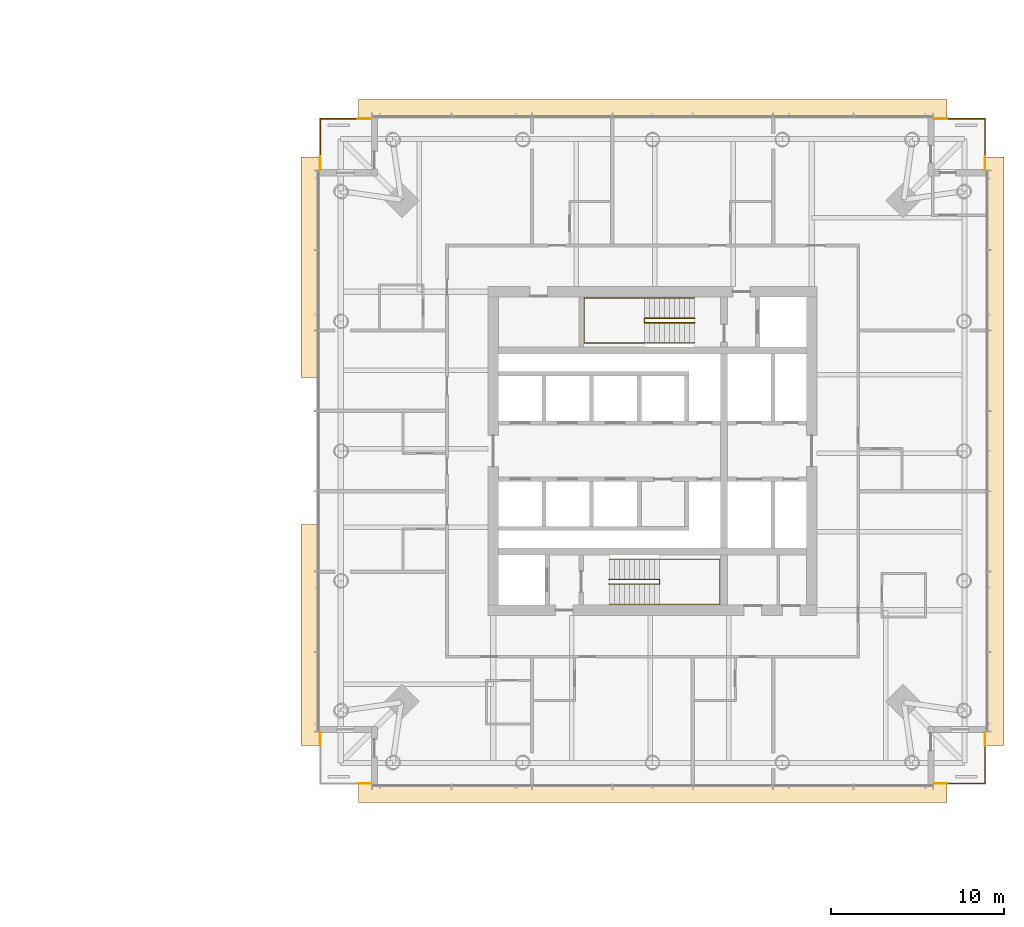
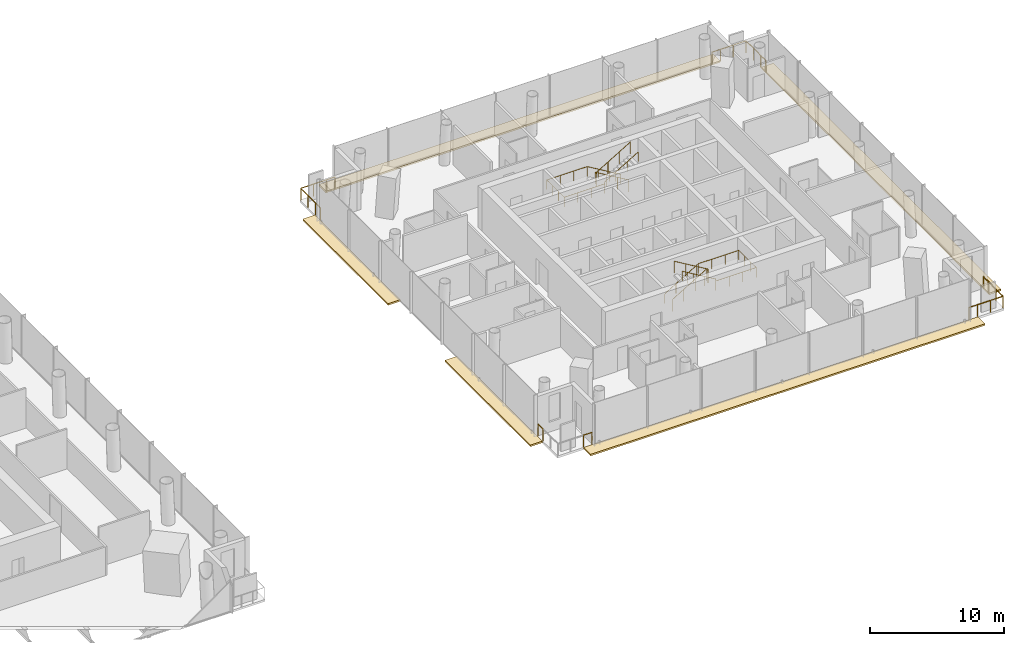
# One storey, part 21 of 21: 15 railings, 5 coverings.
"""IFC4 building model written with IfcOpenShell, lengths in metres."""

from ifc_helpers import new_model, si_unit, direction, frame, origin, origin_2d, place, context, subcontext, project, spatial, polyline, circle, outline, extrude, material, layer, layer_set, type_object, element, save


model = new_model("IFC4")

# Units and contexts
model_context = context("Model", 3, precision=1e-05, world=origin(), true_north=direction((0.0, 1.0)))
body_context = subcontext(model_context, "Body", "Model", "MODEL_VIEW")
ifc_project = project(units=[si_unit("LENGTHUNIT", "METRE"), si_unit("AREAUNIT", "SQUARE_METRE"), si_unit("VOLUMEUNIT", "CUBIC_METRE"), si_unit("PLANEANGLEUNIT", "RADIAN"), si_unit("MASSUNIT", "GRAM", prefix="KILO")], contexts=[model_context])

# Site, building, storey
site_placement = place(None, origin())
site = spatial("IfcSite", under=ifc_project, at=site_placement, CompositionType="ELEMENT")
building_placement = place(site_placement, origin())
building = spatial("IfcBuilding", under=site, at=building_placement, Name="Ostroluk Exchange", CompositionType="ELEMENT")
storey_placement = place(building_placement, frame((0.0, 0.0, 43.800048828125)))
storey = spatial("IfcBuildingStorey", under=building, at=storey_placement, Name="L10", CompositionType="ELEMENT", Elevation=43.800048828125)

# Railings
ifc_material_1 = material(Name="Stainless steel", Category="steel")
railing_type_1 = type_object("IfcRailingType", Name="Guard 1100 stainless steel", PredefinedType="GUARDRAIL", material=ifc_material_1)
railing_1_placement = place(storey_placement, frame((134.0, 26.800048828125, 0.0)))
element("IfcRailing", 1, at=railing_1_placement, inside=storey, type_object=railing_type_1, Name="Hotel tower SE balcony guard L10", PredefinedType="GUARDRAIL", context=body_context, shape_type="SweptSolid", body=[
    extrude(circle(Radius=0.02392578125, at=origin_2d()), frame((0.0, 0.0, 1.076171875), z_axis=(1.0, 0.0, 0.0), x_axis=(0.0, 1.0, 0.0)), (0.0, 0.0, 1.0), 2.199951171875),
    extrude(circle(Radius=0.02392578125, at=origin_2d()), frame((2.199951171875, 0.0, 1.076171875), z_axis=(0.0, 1.0, 0.0), x_axis=(-1.0, 0.0, 0.0)), (0.0, 0.0, 1.0), 2.199951171875),
    extrude(circle(Radius=0.02099609375, at=origin_2d()), origin(), (0.0, 0.0, 1.0), 1.052001953125),
    extrude(circle(Radius=0.02099609375, at=origin_2d()), frame((1.10009765625, 0.0, 0.0)), (0.0, 0.0, 1.0), 1.052001953125),
    extrude(circle(Radius=0.02099609375, at=origin_2d()), frame((2.199951171875, 0.0, 0.0)), (0.0, 0.0, 1.0), 1.052001953125),
    extrude(circle(Radius=0.02099609375, at=origin_2d()), frame((2.199951171875, 1.10009765625, 0.0)), (0.0, 0.0, 1.0), 1.052001953125),
    extrude(circle(Radius=0.02099609375, at=origin_2d()), frame((2.199951171875, 2.199951171875, 0.0)), (0.0, 0.0, 1.0), 1.052001953125),
])
railing_2_placement = place(storey_placement, frame((134.0, 65.199951171875, 0.0)))
element("IfcRailing", 2, at=railing_2_placement, inside=storey, type_object=railing_type_1, Name="Hotel tower NE balcony guard L10", PredefinedType="GUARDRAIL", context=body_context, shape_type="SweptSolid", body=[
    extrude(circle(Radius=0.02392578125, at=origin_2d()), frame((0.0, 0.0, 1.076171875), z_axis=(1.0, 0.0, 0.0), x_axis=(0.0, 1.0, 0.0)), (0.0, 0.0, 1.0), 2.199951171875),
    extrude(circle(Radius=0.02392578125, at=origin_2d()), frame((2.199951171875, 0.0, 1.076171875), z_axis=(0.0, -1.0, 0.0), x_axis=(1.0, 0.0, 0.0)), (0.0, 0.0, 1.0), 2.199951171875),
    extrude(circle(Radius=0.02099609375, at=origin_2d()), origin(), (0.0, 0.0, 1.0), 1.052001953125),
    extrude(circle(Radius=0.02099609375, at=origin_2d()), frame((1.10009765625, 0.0, 0.0)), (0.0, 0.0, 1.0), 1.052001953125),
    extrude(circle(Radius=0.02099609375, at=origin_2d()), frame((2.199951171875, 0.0, 0.0)), (0.0, 0.0, 1.0), 1.052001953125),
    extrude(circle(Radius=0.02099609375, at=origin_2d()), frame((2.199951171875, -1.10009765625, 0.0)), (0.0, 0.0, 1.0), 1.052001953125),
    extrude(circle(Radius=0.02099609375, at=origin_2d()), frame((2.199951171875, -2.199951171875, 0.0)), (0.0, 0.0, 1.0), 1.052001953125),
])
railing_3_placement = place(storey_placement, frame((100.0, 65.199951171875, 0.0)))
element("IfcRailing", 3, at=railing_3_placement, inside=storey, type_object=railing_type_1, Name="Hotel tower NW balcony guard L10", PredefinedType="GUARDRAIL", context=body_context, shape_type="SweptSolid", body=[
    extrude(circle(Radius=0.02392578125, at=origin_2d()), frame((0.0, 0.0, 1.076171875), z_axis=(-1.0, 0.0, 0.0), x_axis=(0.0, -1.0, 0.0)), (0.0, 0.0, 1.0), 2.199951171875),
    extrude(circle(Radius=0.02392578125, at=origin_2d()), frame((-2.199951171875, 0.0, 1.076171875), z_axis=(0.0, -1.0, 0.0), x_axis=(1.0, 0.0, 0.0)), (0.0, 0.0, 1.0), 2.199951171875),
    extrude(circle(Radius=0.02099609375, at=origin_2d()), origin(), (0.0, 0.0, 1.0), 1.052001953125),
    extrude(circle(Radius=0.02099609375, at=origin_2d()), frame((-1.10009765625, 0.0, 0.0)), (0.0, 0.0, 1.0), 1.052001953125),
    extrude(circle(Radius=0.02099609375, at=origin_2d()), frame((-2.199951171875, 0.0, 0.0)), (0.0, 0.0, 1.0), 1.052001953125),
    extrude(circle(Radius=0.02099609375, at=origin_2d()), frame((-2.199951171875, -1.10009765625, 0.0)), (0.0, 0.0, 1.0), 1.052001953125),
    extrude(circle(Radius=0.02099609375, at=origin_2d()), frame((-2.199951171875, -2.199951171875, 0.0)), (0.0, 0.0, 1.0), 1.052001953125),
])
ifc_material_2 = material(Name="Stainless steel", Category="steel")
railing_type_2 = type_object("IfcRailingType", Name="Lockable maintenance gate 1100", PredefinedType="GUARDRAIL", material=ifc_material_2)
railing_4_placement = place(storey_placement, frame((133.25, 26.800048828125, 0.0)))
element("IfcRailing", 4, at=railing_4_placement, inside=storey, type_object=railing_type_2, Name="Lockable maintenance gate T2 L10 SE", PredefinedType="GUARDRAIL", context=body_context, shape_type="SweptSolid", body=[
    extrude(circle(Radius=0.02392578125, at=origin_2d()), frame((0.0, 0.0, 1.076171875), z_axis=(1.0, 0.0, 0.0), x_axis=(0.0, 1.0, 0.0)), (0.0, 0.0, 1.0), 0.75),
    extrude(circle(Radius=0.02099609375, at=origin_2d()), origin(), (0.0, 0.0, 1.0), 1.052001953125),
    extrude(circle(Radius=0.02099609375, at=origin_2d()), frame((0.75, 0.0, 0.0)), (0.0, 0.0, 1.0), 1.052001953125),
])
railing_5_placement = place(storey_placement, frame((136.199951171875, 29.0, 0.0)))
element("IfcRailing", 5, at=railing_5_placement, inside=storey, type_object=railing_type_2, Name="Lockable maintenance gate T2 L10 SE", PredefinedType="GUARDRAIL", context=body_context, shape_type="SweptSolid", body=[
    extrude(circle(Radius=0.02392578125, at=origin_2d()), frame((0.0, 0.0, 1.076171875), z_axis=(0.0, 1.0, 0.0), x_axis=(-1.0, 0.0, 0.0)), (0.0, 0.0, 1.0), 0.75),
    extrude(circle(Radius=0.02099609375, at=origin_2d()), origin(), (0.0, 0.0, 1.0), 1.052001953125),
    extrude(circle(Radius=0.02099609375, at=origin_2d()), frame((0.0, 0.75, 0.0)), (0.0, 0.0, 1.0), 1.052001953125),
])
railing_6_placement = place(storey_placement, frame((133.25, 65.199951171875, 0.0)))
element("IfcRailing", 6, at=railing_6_placement, inside=storey, type_object=railing_type_2, Name="Lockable maintenance gate T2 L10 NE", PredefinedType="GUARDRAIL", context=body_context, shape_type="SweptSolid", body=[
    extrude(circle(Radius=0.02392578125, at=origin_2d()), frame((0.0, 0.0, 1.076171875), z_axis=(1.0, 0.0, 0.0), x_axis=(0.0, 1.0, 0.0)), (0.0, 0.0, 1.0), 0.75),
    extrude(circle(Radius=0.02099609375, at=origin_2d()), origin(), (0.0, 0.0, 1.0), 1.052001953125),
    extrude(circle(Radius=0.02099609375, at=origin_2d()), frame((0.75, 0.0, 0.0)), (0.0, 0.0, 1.0), 1.052001953125),
])
railing_7_placement = place(storey_placement, frame((136.199951171875, 63.0, 0.0)))
element("IfcRailing", 7, at=railing_7_placement, inside=storey, type_object=railing_type_2, Name="Lockable maintenance gate T2 L10 NE", PredefinedType="GUARDRAIL", context=body_context, shape_type="SweptSolid", body=[
    extrude(circle(Radius=0.02392578125, at=origin_2d()), frame((0.0, 0.0, 1.076171875), z_axis=(0.0, -1.0, 0.0), x_axis=(1.0, 0.0, 0.0)), (0.0, 0.0, 1.0), 0.75),
    extrude(circle(Radius=0.02099609375, at=origin_2d()), origin(), (0.0, 0.0, 1.0), 1.052001953125),
    extrude(circle(Radius=0.02099609375, at=origin_2d()), frame((0.0, -0.75, 0.0)), (0.0, 0.0, 1.0), 1.052001953125),
])
railing_8_placement = place(storey_placement, frame((100.75, 65.199951171875, 0.0)))
element("IfcRailing", 8, at=railing_8_placement, inside=storey, type_object=railing_type_2, Name="Lockable maintenance gate T2 L10 NW", PredefinedType="GUARDRAIL", context=body_context, shape_type="SweptSolid", body=[
    extrude(circle(Radius=0.02392578125, at=origin_2d()), frame((0.0, 0.0, 1.076171875), z_axis=(-1.0, 0.0, 0.0), x_axis=(0.0, -1.0, 0.0)), (0.0, 0.0, 1.0), 0.75),
    extrude(circle(Radius=0.02099609375, at=origin_2d()), origin(), (0.0, 0.0, 1.0), 1.052001953125),
    extrude(circle(Radius=0.02099609375, at=origin_2d()), frame((-0.75, 0.0, 0.0)), (0.0, 0.0, 1.0), 1.052001953125),
])
railing_9_placement = place(storey_placement, frame((97.800048828125, 63.0, 0.0)))
element("IfcRailing", 9, at=railing_9_placement, inside=storey, type_object=railing_type_2, Name="Lockable maintenance gate T2 L10 NW", PredefinedType="GUARDRAIL", context=body_context, shape_type="SweptSolid", body=[
    extrude(circle(Radius=0.02392578125, at=origin_2d()), frame((0.0, 0.0, 1.076171875), z_axis=(0.0, -1.0, 0.0), x_axis=(1.0, 0.0, 0.0)), (0.0, 0.0, 1.0), 0.75),
    extrude(circle(Radius=0.02099609375, at=origin_2d()), origin(), (0.0, 0.0, 1.0), 1.052001953125),
    extrude(circle(Radius=0.02099609375, at=origin_2d()), frame((0.0, -0.75, 0.0)), (0.0, 0.0, 1.0), 1.052001953125),
])
railing_10_placement = place(storey_placement, frame((100.75, 26.800048828125, 0.0)))
element("IfcRailing", 10, at=railing_10_placement, inside=storey, type_object=railing_type_2, Name="Lockable maintenance gate T2 L10 SW", PredefinedType="GUARDRAIL", context=body_context, shape_type="SweptSolid", body=[
    extrude(circle(Radius=0.02392578125, at=origin_2d()), frame((0.0, 0.0, 1.076171875), z_axis=(-1.0, 0.0, 0.0), x_axis=(0.0, -1.0, 0.0)), (0.0, 0.0, 1.0), 0.75),
    extrude(circle(Radius=0.02099609375, at=origin_2d()), origin(), (0.0, 0.0, 1.0), 1.052001953125),
    extrude(circle(Radius=0.02099609375, at=origin_2d()), frame((-0.75, 0.0, 0.0)), (0.0, 0.0, 1.0), 1.052001953125),
])
railing_11_placement = place(storey_placement, frame((97.800048828125, 29.0, 0.0)))
element("IfcRailing", 11, at=railing_11_placement, inside=storey, type_object=railing_type_2, Name="Lockable maintenance gate T2 L10 SW", PredefinedType="GUARDRAIL", context=body_context, shape_type="SweptSolid", body=[
    extrude(circle(Radius=0.02392578125, at=origin_2d()), frame((0.0, 0.0, 1.076171875), z_axis=(0.0, 1.0, 0.0), x_axis=(-1.0, 0.0, 0.0)), (0.0, 0.0, 1.0), 0.75),
    extrude(circle(Radius=0.02099609375, at=origin_2d()), origin(), (0.0, 0.0, 1.0), 1.052001953125),
    extrude(circle(Radius=0.02099609375, at=origin_2d()), frame((0.0, 0.75, 0.0)), (0.0, 0.0, 1.0), 1.052001953125),
])

# Coverings
ifc_material_3 = material(Name="Insulated steel roof deck with membrane, laid to falls, aluminium coping", Category="steel")
ifc_layer = layer(ifc_material_3, 0.14990234375)
ifc_layer_set = layer_set([ifc_layer], Name="Setback maintenance roof")
covering_type = type_object("IfcCoveringType", Name="Setback maintenance roof", PredefinedType="ROOFING", material=ifc_layer_set)
covering_1_placement = place(storey_placement, frame((0.0, 0.0, -0.150146484375)))
element("IfcCovering", 12, at=covering_1_placement, inside=storey, type_object=covering_type, Name="Maintenance roof, setback L10 south", PredefinedType="ROOFING", context=body_context, shape_type="SweptSolid", body=[
    extrude(outline(polyline([(100.0, 26.75), (134.0, 26.75), (134.0, 25.699951171875), (100.0, 25.699951171875), (100.0, 26.75)])), origin(), (0.0, 0.0, 1.0), 0.150146484375),
])
covering_2_placement = place(storey_placement, frame((0.0, 0.0, -0.150146484375)))
element("IfcCovering", 13, at=covering_2_placement, inside=storey, type_object=covering_type, Name="Maintenance roof, setback L10 east", PredefinedType="ROOFING", context=body_context, shape_type="SweptSolid", body=[
    extrude(outline(polyline([(136.25, 63.0), (137.300048828125, 63.0), (137.300048828125, 29.0), (136.25, 29.0), (136.25, 63.0)])), origin(), (0.0, 0.0, 1.0), 0.150146484375),
])
covering_3_placement = place(storey_placement, frame((0.0, 0.0, -0.150146484375)))
element("IfcCovering", 14, at=covering_3_placement, inside=storey, type_object=covering_type, Name="Maintenance roof, setback L10 north", PredefinedType="ROOFING", context=body_context, shape_type="SweptSolid", body=[
    extrude(outline(polyline([(100.0, 66.300048828125), (134.0, 66.300048828125), (134.0, 65.25), (100.0, 65.25), (100.0, 66.300048828125)])), origin(), (0.0, 0.0, 1.0), 0.150146484375),
])
covering_4_placement = place(storey_placement, frame((0.0, 0.0, -0.150146484375)))
element("IfcCovering", 15, at=covering_4_placement, inside=storey, type_object=covering_type, Name="Maintenance roof, setback L10 west", PredefinedType="ROOFING", context=body_context, shape_type="SweptSolid", body=[
    extrude(outline(polyline([(96.699951171875, 41.75), (97.75, 41.75), (97.75, 29.0), (96.699951171875, 29.0), (96.699951171875, 41.75)])), origin(), (0.0, 0.0, 1.0), 0.150146484375),
])
covering_5_placement = place(storey_placement, frame((0.0, 0.0, -0.150146484375)))
element("IfcCovering", 16, at=covering_5_placement, inside=storey, type_object=covering_type, Name="Maintenance roof, setback L10 west", PredefinedType="ROOFING", context=body_context, shape_type="SweptSolid", body=[
    extrude(outline(polyline([(96.699951171875, 63.0), (97.75, 63.0), (97.75, 50.25), (96.699951171875, 50.25), (96.699951171875, 63.0)])), origin(), (0.0, 0.0, 1.0), 0.150146484375),
])

# Railings
ifc_material_4 = material(Name="Steel S355", Category="steel")
railing_type_3 = type_object("IfcRailingType", Name="Stair guard 1100", PredefinedType="GUARDRAIL", material=ifc_material_4)
railing_12_placement = place(storey_placement, frame((114.5, 38.580078125, 0.172607421875)))
element("IfcRailing", 17, at=railing_12_placement, inside=storey, type_object=railing_type_3, Name="Stair T2-S1 guard L10", PredefinedType="GUARDRAIL", context=body_context, shape_type="SweptSolid", body=[
    extrude(circle(Radius=0.02392578125, at=origin_2d()), frame((0.0, 0.0, 1.076171875), z_axis=(0.859141464434, 0.0, 0.511738159696), x_axis=(0.0, 1.0, 0.0)), (0.0, 0.0, 1.0), 3.375244140625),
    extrude(circle(Radius=0.02392578125, at=origin_2d()), frame((2.89990234375, 0.0, 2.80322265625), z_axis=(0.0, -1.0, 0.0), x_axis=(1.0, 0.0, 0.0)), (0.0, 0.0, 1.0), 0.260009765625),
    extrude(circle(Radius=0.02392578125, at=origin_2d()), frame((2.89990234375, -0.260009765625, 2.80322265625), z_axis=(0.0, 0.0, 1.0), x_axis=(1.0, 0.0, 0.0)), (0.0, 0.0, 1.0), 0.1728515625),
    extrude(circle(Radius=0.02392578125, at=origin_2d()), frame((2.89990234375, -0.260009765625, 2.97607421875), z_axis=(-0.859141464434, 0.0, 0.511738159696), x_axis=(0.0, -1.0, 0.0)), (0.0, 0.0, 1.0), 3.375244140625),
    extrude(circle(Radius=0.02099609375, at=origin_2d()), origin(), (0.0, 0.0, 1.0), 1.052001953125),
    extrude(circle(Radius=0.02099609375, at=origin_2d()), frame((0.966552734375, 0.0, 0.57568359375)), (0.0, 0.0, 1.0), 1.052001953125),
    extrude(circle(Radius=0.02099609375, at=origin_2d()), frame((1.933349609375, 0.0, 1.151611328125)), (0.0, 0.0, 1.0), 1.052001953125),
    extrude(circle(Radius=0.02099609375, at=origin_2d()), frame((2.89990234375, 0.0, 1.727294921875)), (0.0, 0.0, 1.0), 1.052001953125),
    extrude(circle(Radius=0.02099609375, at=origin_2d()), frame((2.89990234375, -0.260009765625, 1.727294921875)), (0.0, 0.0, 1.0), 1.052001953125),
    extrude(circle(Radius=0.02099609375, at=origin_2d()), frame((2.89990234375, -0.260009765625, 1.900146484375)), (0.0, 0.0, 1.0), 1.052001953125),
    extrude(circle(Radius=0.02099609375, at=origin_2d()), frame((1.933349609375, -0.260009765625, 2.475830078125)), (0.0, 0.0, 1.0), 1.052001953125),
    extrude(circle(Radius=0.02099609375, at=origin_2d()), frame((0.966552734375, -0.260009765625, 3.0517578125)), (0.0, 0.0, 1.0), 1.052001953125),
    extrude(circle(Radius=0.02099609375, at=origin_2d()), frame((0.0, -0.260009765625, 3.62744140625)), (0.0, 0.0, 1.0), 1.052001953125),
])
railing_13_placement = place(storey_placement, frame((119.429931640625, 53.679931640625, 0.172607421875)))
element("IfcRailing", 18, at=railing_13_placement, inside=storey, type_object=railing_type_3, Name="Stair T2-S2 guard L10", PredefinedType="GUARDRAIL", context=body_context, shape_type="SweptSolid", body=[
    extrude(circle(Radius=0.02392578125, at=origin_2d()), frame((0.0, 0.0, 1.076171875), z_axis=(-0.859141464434, 0.0, 0.511738159696), x_axis=(0.0, -1.0, 0.0)), (0.0, 0.0, 1.0), 3.375244140625),
    extrude(circle(Radius=0.02392578125, at=origin_2d()), frame((-2.89990234375, 0.0, 2.80322265625), z_axis=(0.0, -1.0, 0.0), x_axis=(1.0, 0.0, 0.0)), (0.0, 0.0, 1.0), 0.260009765625),
    extrude(circle(Radius=0.02392578125, at=origin_2d()), frame((-2.89990234375, -0.260009765625, 2.80322265625), z_axis=(0.0, 0.0, 1.0), x_axis=(1.0, 0.0, 0.0)), (0.0, 0.0, 1.0), 0.1728515625),
    extrude(circle(Radius=0.02392578125, at=origin_2d()), frame((-2.89990234375, -0.260009765625, 2.97607421875), z_axis=(0.859141464434, 0.0, 0.511738159696), x_axis=(0.0, 1.0, 0.0)), (0.0, 0.0, 1.0), 3.375244140625),
    extrude(circle(Radius=0.02099609375, at=origin_2d()), origin(), (0.0, 0.0, 1.0), 1.052001953125),
    extrude(circle(Radius=0.02099609375, at=origin_2d()), frame((-0.966552734375, 0.0, 0.57568359375)), (0.0, 0.0, 1.0), 1.052001953125),
    extrude(circle(Radius=0.02099609375, at=origin_2d()), frame((-1.933349609375, 0.0, 1.151611328125)), (0.0, 0.0, 1.0), 1.052001953125),
    extrude(circle(Radius=0.02099609375, at=origin_2d()), frame((-2.89990234375, 0.0, 1.727294921875)), (0.0, 0.0, 1.0), 1.052001953125),
    extrude(circle(Radius=0.02099609375, at=origin_2d()), frame((-2.89990234375, -0.260009765625, 1.727294921875)), (0.0, 0.0, 1.0), 1.052001953125),
    extrude(circle(Radius=0.02099609375, at=origin_2d()), frame((-2.89990234375, -0.260009765625, 1.900146484375)), (0.0, 0.0, 1.0), 1.052001953125),
    extrude(circle(Radius=0.02099609375, at=origin_2d()), frame((-1.933349609375, -0.260009765625, 2.475830078125)), (0.0, 0.0, 1.0), 1.052001953125),
    extrude(circle(Radius=0.02099609375, at=origin_2d()), frame((-0.966552734375, -0.260009765625, 3.0517578125)), (0.0, 0.0, 1.0), 1.052001953125),
    extrude(circle(Radius=0.02099609375, at=origin_2d()), frame((0.0, -0.260009765625, 3.62744140625)), (0.0, 0.0, 1.0), 1.052001953125),
])
ifc_material_5 = material(Name="Stainless steel", Category="steel")
railing_type_4 = type_object("IfcRailingType", Name="Stair handrail 900", PredefinedType="HANDRAIL", material=ifc_material_5)
railing_14_placement = place(storey_placement, frame((114.5, 39.75, 0.172607421875)))
element("IfcRailing", 19, at=railing_14_placement, inside=storey, type_object=railing_type_4, Name="Stair T2-S1 handrail L10", PredefinedType="HANDRAIL", context=body_context, shape_type="SweptSolid", body=[
    extrude(circle(Radius=0.02392578125, at=origin_2d()), frame((0.0, 0.0, 0.8759765625), z_axis=(0.859141464434, 0.0, 0.511738159696), x_axis=(0.0, 1.0, 0.0)), (0.0, 0.0, 1.0), 3.375244140625),
    extrude(circle(Radius=0.02392578125, at=origin_2d()), frame((2.89990234375, 0.0, 2.60302734375), z_axis=(1.0, 0.0, 0.0), x_axis=(0.0, 1.0, 0.0)), (0.0, 0.0, 1.0), 3.47998046875),
    extrude(circle(Radius=0.02392578125, at=origin_2d()), frame((6.3798828125, 0.0, 2.60302734375), z_axis=(0.0, -1.0, 0.0), x_axis=(1.0, 0.0, 0.0)), (0.0, 0.0, 1.0), 2.60009765625),
    extrude(circle(Radius=0.02392578125, at=origin_2d()), frame((6.3798828125, -2.60009765625, 2.60302734375), z_axis=(-1.0, 0.0, 0.0), x_axis=(0.0, -1.0, 0.0)), (0.0, 0.0, 1.0), 3.47998046875),
    extrude(circle(Radius=0.02392578125, at=origin_2d()), frame((2.89990234375, -2.60009765625, 2.60302734375), z_axis=(0.0, 0.0, 1.0), x_axis=(1.0, 0.0, 0.0)), (0.0, 0.0, 1.0), 0.1728515625),
    extrude(circle(Radius=0.02392578125, at=origin_2d()), frame((2.89990234375, -2.60009765625, 2.77587890625), z_axis=(-0.859141464434, 0.0, 0.511738159696), x_axis=(0.0, -1.0, 0.0)), (0.0, 0.0, 1.0), 3.375244140625),
    extrude(circle(Radius=0.02099609375, at=origin_2d()), origin(), (0.0, 0.0, 1.0), 0.851806640625),
    extrude(circle(Radius=0.02099609375, at=origin_2d()), frame((0.966552734375, 0.0, 0.57568359375)), (0.0, 0.0, 1.0), 0.851806640625),
    extrude(circle(Radius=0.02099609375, at=origin_2d()), frame((1.933349609375, 0.0, 1.151611328125)), (0.0, 0.0, 1.0), 0.851806640625),
    extrude(circle(Radius=0.02099609375, at=origin_2d()), frame((2.89990234375, 0.0, 1.727294921875)), (0.0, 0.0, 1.0), 0.851806640625),
    extrude(circle(Radius=0.02099609375, at=origin_2d()), frame((4.059814453125, 0.0, 1.727294921875)), (0.0, 0.0, 1.0), 0.851806640625),
    extrude(circle(Radius=0.02099609375, at=origin_2d()), frame((5.219970703125, 0.0, 1.727294921875)), (0.0, 0.0, 1.0), 0.851806640625),
    extrude(circle(Radius=0.02099609375, at=origin_2d()), frame((6.3798828125, 0.0, 1.727294921875)), (0.0, 0.0, 1.0), 0.851806640625),
    extrude(circle(Radius=0.02099609375, at=origin_2d()), frame((6.3798828125, -0.86669921875, 1.727294921875)), (0.0, 0.0, 1.0), 0.851806640625),
    extrude(circle(Radius=0.02099609375, at=origin_2d()), frame((6.3798828125, -1.7333984375, 1.727294921875)), (0.0, 0.0, 1.0), 0.851806640625),
    extrude(circle(Radius=0.02099609375, at=origin_2d()), frame((6.3798828125, -2.60009765625, 1.727294921875)), (0.0, 0.0, 1.0), 0.851806640625),
    extrude(circle(Radius=0.02099609375, at=origin_2d()), frame((5.219970703125, -2.60009765625, 1.727294921875)), (0.0, 0.0, 1.0), 0.851806640625),
    extrude(circle(Radius=0.02099609375, at=origin_2d()), frame((4.059814453125, -2.60009765625, 1.727294921875)), (0.0, 0.0, 1.0), 0.851806640625),
    extrude(circle(Radius=0.02099609375, at=origin_2d()), frame((2.89990234375, -2.60009765625, 1.727294921875)), (0.0, 0.0, 1.0), 0.851806640625),
    extrude(circle(Radius=0.02099609375, at=origin_2d()), frame((2.89990234375, -2.60009765625, 1.900146484375)), (0.0, 0.0, 1.0), 0.851806640625),
    extrude(circle(Radius=0.02099609375, at=origin_2d()), frame((1.933349609375, -2.60009765625, 2.475830078125)), (0.0, 0.0, 1.0), 0.851806640625),
    extrude(circle(Radius=0.02099609375, at=origin_2d()), frame((0.966552734375, -2.60009765625, 3.0517578125)), (0.0, 0.0, 1.0), 0.851806640625),
    extrude(circle(Radius=0.02099609375, at=origin_2d()), frame((0.0, -2.60009765625, 3.62744140625)), (0.0, 0.0, 1.0), 0.851806640625),
])
railing_15_placement = place(storey_placement, frame((119.429931640625, 54.85009765625, 0.172607421875)))
element("IfcRailing", 20, at=railing_15_placement, inside=storey, type_object=railing_type_4, Name="Stair T2-S2 handrail L10", PredefinedType="HANDRAIL", context=body_context, shape_type="SweptSolid", body=[
    extrude(circle(Radius=0.02392578125, at=origin_2d()), frame((0.0, 0.0, 0.8759765625), z_axis=(-0.859141464434, 0.0, 0.511738159696), x_axis=(0.0, -1.0, 0.0)), (0.0, 0.0, 1.0), 3.375244140625),
    extrude(circle(Radius=0.02392578125, at=origin_2d()), frame((-2.89990234375, 0.0, 2.60302734375), z_axis=(-1.0, 0.0, 0.0), x_axis=(0.0, -1.0, 0.0)), (0.0, 0.0, 1.0), 3.47998046875),
    extrude(circle(Radius=0.02392578125, at=origin_2d()), frame((-6.3798828125, 0.0, 2.60302734375), z_axis=(0.0, -1.0, 0.0), x_axis=(1.0, 0.0, 0.0)), (0.0, 0.0, 1.0), 2.60009765625),
    extrude(circle(Radius=0.02392578125, at=origin_2d()), frame((-6.3798828125, -2.60009765625, 2.60302734375), z_axis=(1.0, 0.0, 0.0), x_axis=(0.0, 1.0, 0.0)), (0.0, 0.0, 1.0), 3.47998046875),
    extrude(circle(Radius=0.02392578125, at=origin_2d()), frame((-2.89990234375, -2.60009765625, 2.60302734375), z_axis=(0.0, 0.0, 1.0), x_axis=(1.0, 0.0, 0.0)), (0.0, 0.0, 1.0), 0.1728515625),
    extrude(circle(Radius=0.02392578125, at=origin_2d()), frame((-2.89990234375, -2.60009765625, 2.77587890625), z_axis=(0.859141464434, 0.0, 0.511738159696), x_axis=(0.0, 1.0, 0.0)), (0.0, 0.0, 1.0), 3.375244140625),
    extrude(circle(Radius=0.02099609375, at=origin_2d()), origin(), (0.0, 0.0, 1.0), 0.851806640625),
    extrude(circle(Radius=0.02099609375, at=origin_2d()), frame((-0.966552734375, 0.0, 0.57568359375)), (0.0, 0.0, 1.0), 0.851806640625),
    extrude(circle(Radius=0.02099609375, at=origin_2d()), frame((-1.933349609375, 0.0, 1.151611328125)), (0.0, 0.0, 1.0), 0.851806640625),
    extrude(circle(Radius=0.02099609375, at=origin_2d()), frame((-2.89990234375, 0.0, 1.727294921875)), (0.0, 0.0, 1.0), 0.851806640625),
    extrude(circle(Radius=0.02099609375, at=origin_2d()), frame((-4.059814453125, 0.0, 1.727294921875)), (0.0, 0.0, 1.0), 0.851806640625),
    extrude(circle(Radius=0.02099609375, at=origin_2d()), frame((-5.219970703125, 0.0, 1.727294921875)), (0.0, 0.0, 1.0), 0.851806640625),
    extrude(circle(Radius=0.02099609375, at=origin_2d()), frame((-6.3798828125, 0.0, 1.727294921875)), (0.0, 0.0, 1.0), 0.851806640625),
    extrude(circle(Radius=0.02099609375, at=origin_2d()), frame((-6.3798828125, -0.86669921875, 1.727294921875)), (0.0, 0.0, 1.0), 0.851806640625),
    extrude(circle(Radius=0.02099609375, at=origin_2d()), frame((-6.3798828125, -1.7333984375, 1.727294921875)), (0.0, 0.0, 1.0), 0.851806640625),
    extrude(circle(Radius=0.02099609375, at=origin_2d()), frame((-6.3798828125, -2.60009765625, 1.727294921875)), (0.0, 0.0, 1.0), 0.851806640625),
    extrude(circle(Radius=0.02099609375, at=origin_2d()), frame((-5.219970703125, -2.60009765625, 1.727294921875)), (0.0, 0.0, 1.0), 0.851806640625),
    extrude(circle(Radius=0.02099609375, at=origin_2d()), frame((-4.059814453125, -2.60009765625, 1.727294921875)), (0.0, 0.0, 1.0), 0.851806640625),
    extrude(circle(Radius=0.02099609375, at=origin_2d()), frame((-2.89990234375, -2.60009765625, 1.727294921875)), (0.0, 0.0, 1.0), 0.851806640625),
    extrude(circle(Radius=0.02099609375, at=origin_2d()), frame((-2.89990234375, -2.60009765625, 1.900146484375)), (0.0, 0.0, 1.0), 0.851806640625),
    extrude(circle(Radius=0.02099609375, at=origin_2d()), frame((-1.933349609375, -2.60009765625, 2.475830078125)), (0.0, 0.0, 1.0), 0.851806640625),
    extrude(circle(Radius=0.02099609375, at=origin_2d()), frame((-0.966552734375, -2.60009765625, 3.0517578125)), (0.0, 0.0, 1.0), 0.851806640625),
    extrude(circle(Radius=0.02099609375, at=origin_2d()), frame((0.0, -2.60009765625, 3.62744140625)), (0.0, 0.0, 1.0), 0.851806640625),
])

save(model, "model.ifc")
